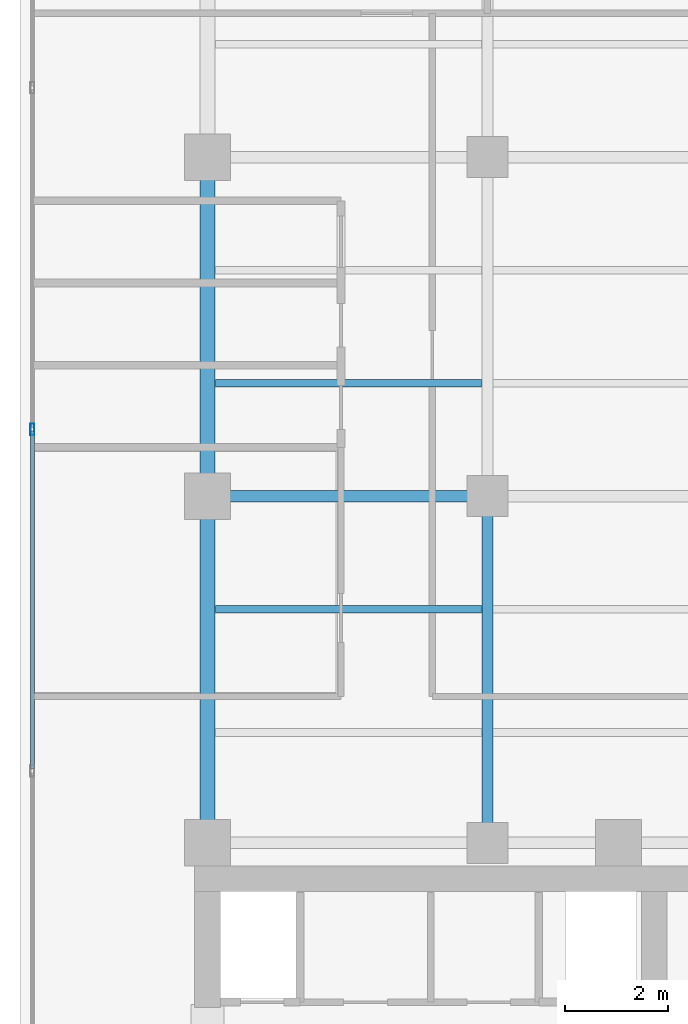
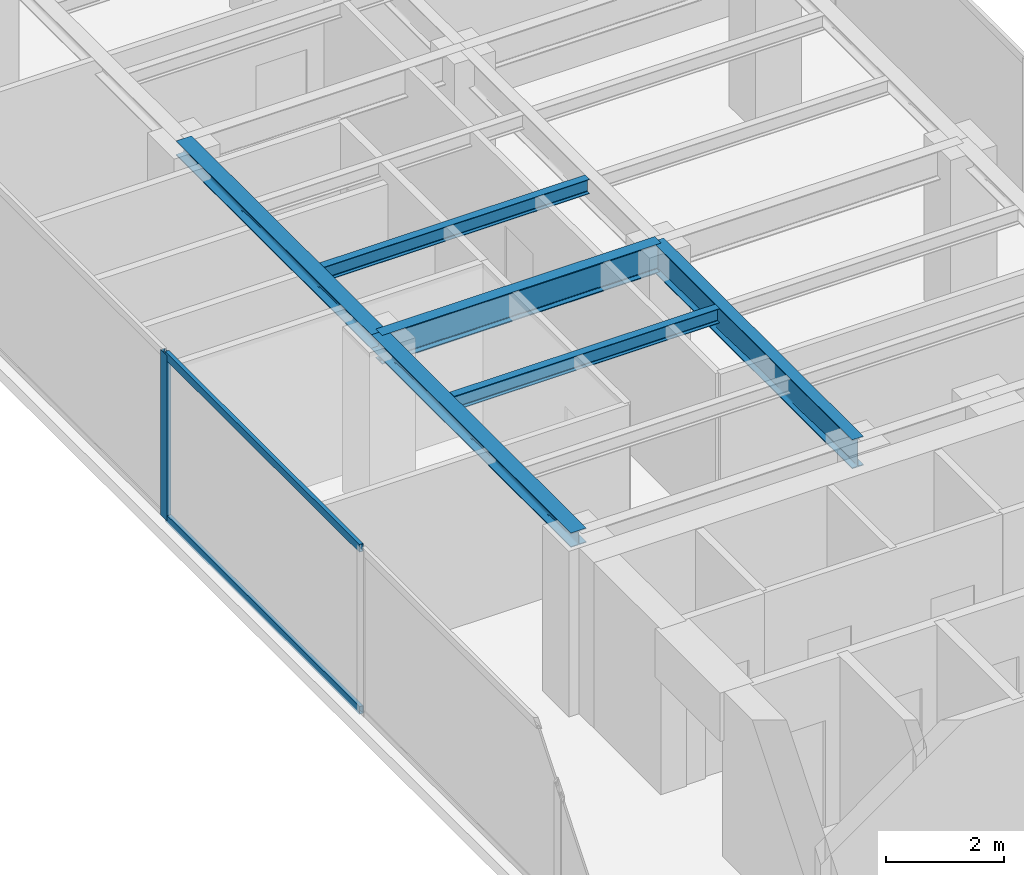
# One storey, part 7 of 23: 6 beams, 3 members, 1 element without a shape of its own.
"""IFC4 building model written with IfcOpenShell, lengths in metres."""

from ifc_helpers import new_model, si_unit, direction, frame, origin, origin_with_axes, origin_2d, place, context, subcontext, project, spatial, hollow_rectangle, i_section, extrude, source, transform, mapped, material, layer, layer_set, material_profile, profile_set, type_object, element, aggregate, save


model = new_model("IFC4")

# Units and contexts
model_context = context("Model", 3, precision=1e-05, world=origin(), true_north=direction((0.0, 1.0)))
body_context = subcontext(model_context, "Body", "Model", "MODEL_VIEW")
ifc_project = project(units=[si_unit("LENGTHUNIT", "METRE"), si_unit("AREAUNIT", "SQUARE_METRE"), si_unit("VOLUMEUNIT", "CUBIC_METRE"), si_unit("PLANEANGLEUNIT", "RADIAN"), si_unit("MASSUNIT", "GRAM", prefix="KILO")], contexts=[model_context])

# Site, building, storey
site_placement = place(None, origin())
site = spatial("IfcSite", under=ifc_project, at=site_placement, CompositionType="ELEMENT")
building_placement = place(site_placement, origin())
building = spatial("IfcBuilding", under=site, at=building_placement, Name="Kolvaren Waterfront Exchange", CompositionType="ELEMENT")
storey_placement = place(building_placement, frame((0.0, 0.0, 335.0)))
storey = spatial("IfcBuildingStorey", under=building, at=storey_placement, Name="L86", CompositionType="ELEMENT", Elevation=335.0)

# Beams
ifc_material_1 = material(Name="Steel S355", Category="steel")
ifc_material_profile_1 = material_profile(ifc_material_1, i_section(OverallWidth=0.300048828125, OverallDepth=0.300048828125, WebThickness=0.010986328125, FlangeThickness=0.01904296875, FilletRadius=0.027099609375, at=origin_2d()), Name="HEB300")
ifc_profile_set_1 = profile_set([ifc_material_profile_1], Name="Steel S355")
beam_type_1 = type_object("IfcBeamType", Name="STR-BM-HEB300", PredefinedType="SPANDREL", material=ifc_profile_set_1)
beam_1_placement = place(storey_placement, frame((7.449951171875, 24.449951171875, 3.27001953125), z_axis=(0.0, 1.0, 0.0), x_axis=(-1.0, 0.0, 0.0)))
element("IfcBeam", 1, at=beam_1_placement, inside=storey, type_object=beam_type_1, Name="L86 north-arm edge beam 1", PredefinedType="SPANDREL", context=body_context, shape_type="SweptSolid", body=[
    extrude(i_section(OverallWidth=0.300048828125, OverallDepth=0.300048828125, WebThickness=0.010986328125, FlangeThickness=0.01904296875, FilletRadius=0.027099609375, at=origin_2d()), origin(), (0.0, 0.0, 1.0), 6.75),
])
beam_2_placement = place(storey_placement, frame((7.449951171875, 31.199951171875, 3.27001953125), z_axis=(0.0, 1.0, 0.0), x_axis=(-1.0, 0.0, 0.0)))
element("IfcBeam", 2, at=beam_2_placement, inside=storey, type_object=beam_type_1, Name="L86 north-arm edge beam 2", PredefinedType="SPANDREL", context=body_context, shape_type="SweptSolid", body=[
    extrude(i_section(OverallWidth=0.300048828125, OverallDepth=0.300048828125, WebThickness=0.010986328125, FlangeThickness=0.01904296875, FilletRadius=0.027099609375, at=origin_2d()), origin(), (0.0, 0.0, 1.0), 6.60009765625),
])
ifc_material_profile_2 = material_profile(ifc_material_1, i_section(OverallWidth=0.14990234375, OverallDepth=0.300048828125, WebThickness=0.007080078125, FlangeThickness=0.0107421875, FilletRadius=0.014892578125, at=origin_2d()), Name="IPE300")
ifc_profile_set_2 = profile_set([ifc_material_profile_2], Name="Steel S355")
beam_type_2 = type_object("IfcBeamType", Name="STR-BM-IPE300", PredefinedType="JOIST", material=ifc_profile_set_2)
for number, where, z_axis, x_axis, name in (
    (3, (7.60205078125, 29.0, 3.27001953125), (1.0, 0.0, 0.0), (0.0, 1.0, 0.0), "L86 north-arm composite joist 2A"),
    (4, (7.60205078125, 33.39990234375, 3.27001953125), (1.0, 0.0, 0.0), (0.0, 1.0, 0.0), "L86 north-arm composite joist 3A"),
):
    element("IfcBeam", number, at=place(storey_placement, frame(where, z_axis=z_axis, x_axis=x_axis)), inside=storey, type_object=beam_type_2, Name=name, PredefinedType="JOIST", context=body_context, shape_type="SweptSolid", body=[
        extrude(i_section(OverallWidth=0.14990234375, OverallDepth=0.300048828125, WebThickness=0.007080078125, FlangeThickness=0.0107421875, FilletRadius=0.014892578125, at=origin_2d()), origin(), (0.0, 0.0, 1.0), 5.18603515625),
    ])
ifc_material_profile_3 = material_profile(ifc_material_1, i_section(OverallWidth=0.219970703125, OverallDepth=0.60009765625, WebThickness=0.011962890625, FlangeThickness=0.01904296875, FilletRadius=0.02392578125, at=origin_2d()), Name="IPE600")
ifc_profile_set_3 = profile_set([ifc_material_profile_3], Name="Steel S355")
beam_type_3 = type_object("IfcBeamType", Name="STR-BM-IPE600", PredefinedType="BEAM", material=ifc_profile_set_3)
beam_3_placement = place(storey_placement, frame((7.449951171875, 31.199951171875, 3.1201171875), z_axis=(1.0, 0.0, 0.0), x_axis=(0.0, 1.0, 0.0)))
element("IfcBeam", 5, at=beam_3_placement, inside=storey, type_object=beam_type_3, Name="L86 north-arm girder 2A", PredefinedType="BEAM", context=body_context, shape_type="SweptSolid", body=[
    extrude(i_section(OverallWidth=0.219970703125, OverallDepth=0.60009765625, WebThickness=0.011962890625, FlangeThickness=0.01904296875, FilletRadius=0.02392578125, at=origin_2d()), origin(), (0.0, 0.0, 1.0), 5.449951171875),
])
beam_4_placement = place(storey_placement, frame((12.89990234375, 24.449951171875, 3.1201171875), z_axis=(0.0, 1.0, 0.0), x_axis=(-1.0, 0.0, 0.0)))
element("IfcBeam", 6, at=beam_4_placement, inside=storey, type_object=beam_type_3, Name="L86 north-arm edge beam 1", PredefinedType="BEAM", context=body_context, shape_type="SweptSolid", body=[
    extrude(i_section(OverallWidth=0.219970703125, OverallDepth=0.60009765625, WebThickness=0.011962890625, FlangeThickness=0.01904296875, FilletRadius=0.02392578125, at=origin_2d()), origin(), (0.0, 0.0, 1.0), 6.75),
])

# Curtain wall, members
ifc_material_2 = material(Name="Anodised aluminium 6063-T6", Category="aluminium")
ifc_layer = layer(ifc_material_2, 0.219970703125, Name="Anodised aluminium 6063-T6")
ifc_layer_set = layer_set([ifc_layer], Name="Anodised aluminium 6063-T6")
curtain_wall_type = type_object("IfcCurtainWallType", Name="ARC-CW-SYS2", PredefinedType="USERDEFINED", material=ifc_layer_set)
curtain_wall_placement = place(storey_placement, origin())
curtain_wall = element("IfcCurtainWall", 7, at=curtain_wall_placement, inside=storey, type_object=curtain_wall_type, Name="L86 stick curtain wall CW2 (CW-L86-W)", ObjectType="STICK CURTAIN WALL", PredefinedType="USERDEFINED")
ifc_material_profile_4 = material_profile(ifc_material_2, hollow_rectangle(XDim=0.080078125, YDim=0.219970703125, WallThickness=0.0048828125, at=origin_2d()), Name="ALU-MUL-220x80x5")
ifc_profile_set_4 = profile_set([ifc_material_profile_4], Name="Anodised aluminium 6063-T6")
member_type_1 = type_object("IfcMemberType", Name="ARC-CWM-220", PredefinedType="MULLION", material=ifc_profile_set_4)
shared_shape_1 = source(origin_with_axes(), body_context, "Body", "SweptSolid", [
    extrude(hollow_rectangle(XDim=0.080078125, YDim=0.219970703125, WallThickness=0.0048828125, at=origin_2d()), origin(), (0.0, 0.0, 1.0), 3.419921875),
])
member_1_placement = place(storey_placement, frame((4.0400390625, 32.5, 0.0), z_axis=(0.0, 0.0, 1.0), x_axis=(-1.0, 0.0, 0.0)))
member_1 = element("IfcMember", 8, at=member_1_placement, type_object=member_type_1, Name="CW2 mullion 5", PredefinedType="MULLION", context=body_context, shape_type="MappedRepresentation", body=[
    mapped(shared_shape_1, transform((0.0, 0.0, 0.0), x_axis=(1.0, 0.0, 0.0), y_axis=(0.0, 1.0, 0.0), z_axis=(0.0, 0.0, 1.0), scale=1.0)),
])
ifc_material_profile_5 = material_profile(ifc_material_2, hollow_rectangle(XDim=0.074951171875, YDim=0.159912109375, WallThickness=0.00439453125, at=origin_2d()), Name="ALU-TRN-160x75x4.5")
ifc_profile_set_5 = profile_set([ifc_material_profile_5], Name="Anodised aluminium 6063-T6")
member_type_2 = type_object("IfcMemberType", Name="ARC-CWT-160", PredefinedType="USERDEFINED", material=ifc_profile_set_5)
shared_shape_2 = source(origin_with_axes(), body_context, "Body", "SweptSolid", [
    extrude(hollow_rectangle(XDim=0.074951171875, YDim=0.159912109375, WallThickness=0.00439453125, at=origin_2d()), origin(), (0.0, 0.0, 1.0), 6.570068359375),
])
member_2_placement = place(storey_placement, frame((4.0400390625, 25.889892578125, 0.03759765625), z_axis=(0.0, 1.0, 0.0), x_axis=(-1.0, 0.0, 0.0)))
member_2 = element("IfcMember", 9, at=member_2_placement, type_object=member_type_2, Name="CW2 transom 4.1", ObjectType="TRANSOM", PredefinedType="USERDEFINED", context=body_context, shape_type="MappedRepresentation", body=[
    mapped(shared_shape_2, transform((0.0, 0.0, 0.0), x_axis=(1.0, 0.0, 0.0), y_axis=(0.0, 1.0, 0.0), z_axis=(0.0, 0.0, 1.0), scale=1.0)),
])
member_3_placement = place(storey_placement, frame((4.0400390625, 25.889892578125, 3.382568359375), z_axis=(0.0, 1.0, 0.0), x_axis=(-1.0, 0.0, 0.0)))
member_3 = element("IfcMember", 10, at=member_3_placement, type_object=member_type_2, Name="CW2 transom 4.2", ObjectType="TRANSOM", PredefinedType="USERDEFINED", context=body_context, shape_type="MappedRepresentation", body=[
    mapped(shared_shape_2, transform((0.0, 0.0, 0.0), x_axis=(1.0, 0.0, 0.0), y_axis=(0.0, 1.0, 0.0), z_axis=(0.0, 0.0, 1.0), scale=1.0)),
])
aggregate(curtain_wall, [member_1, member_2, member_3])

save(model, "model.ifc")
